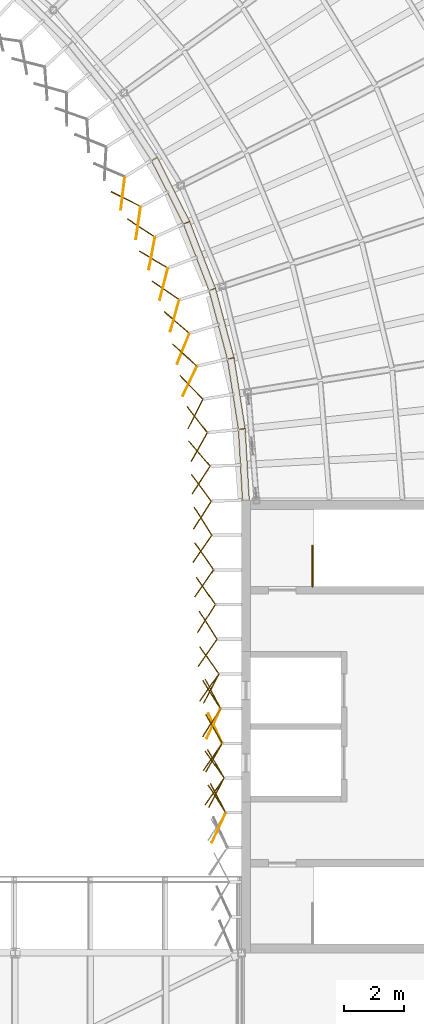
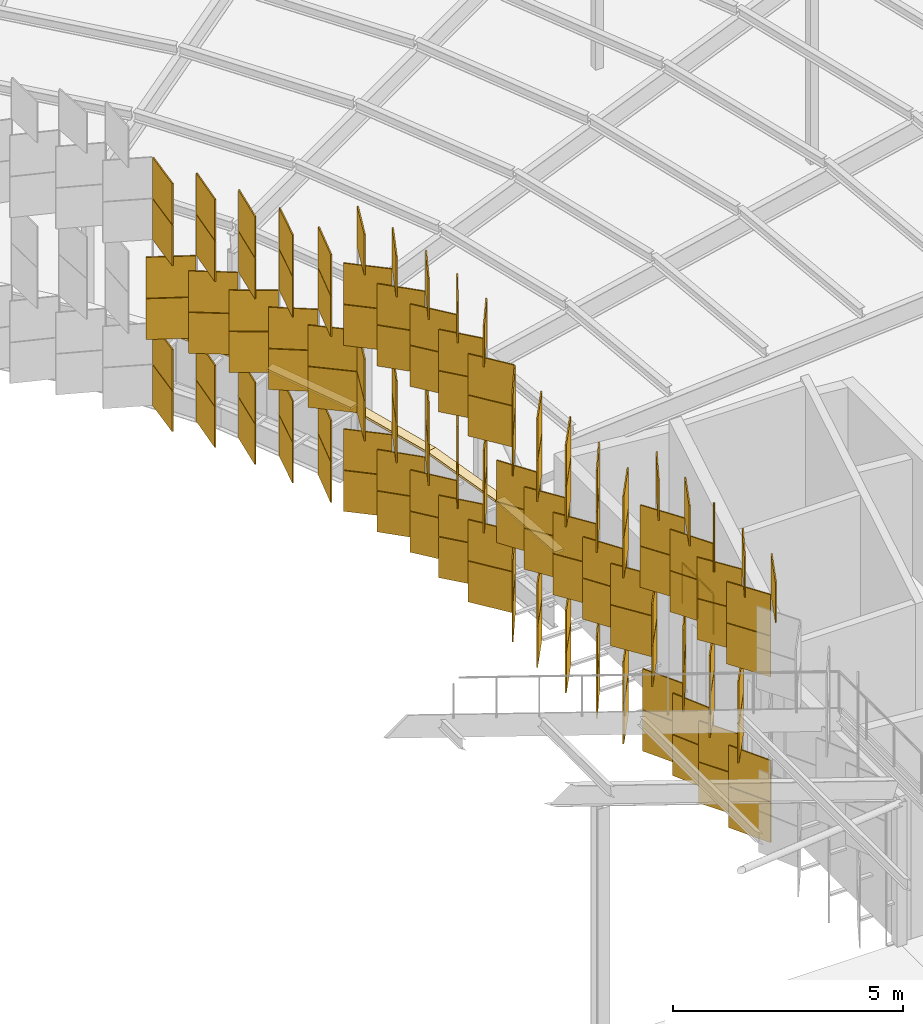
# One storey, part 470 of 483: 129 coverings, 1 railing.
"""IFC4 building model written with IfcOpenShell, lengths in metres."""

from ifc_helpers import new_model, si_unit, direction, frame, origin, origin_2d, place, context, subcontext, project, spatial, polyline, rectangle, circle, outline, extrude, material, layer, layer_set, type_object, element, save


model = new_model("IFC4")

# Units and contexts
model_context = context("Model", 3, precision=1e-05, world=origin(), true_north=direction((0.0, 1.0)))
body_context = subcontext(model_context, "Body", "Model", "MODEL_VIEW")
ifc_project = project(units=[si_unit("LENGTHUNIT", "METRE"), si_unit("AREAUNIT", "SQUARE_METRE"), si_unit("VOLUMEUNIT", "CUBIC_METRE"), si_unit("PLANEANGLEUNIT", "RADIAN"), si_unit("MASSUNIT", "GRAM", prefix="KILO")], contexts=[model_context])

# Site, building, storey
site_placement = place(None, origin())
site = spatial("IfcSite", under=ifc_project, at=site_placement, CompositionType="ELEMENT")
building_placement = place(site_placement, origin())
building = spatial("IfcBuilding", under=site, at=building_placement, Name="Parallax Yard Mobility Hub", CompositionType="ELEMENT")
storey_placement = place(building_placement, frame((0.0, 0.0, 13.199951171875)))
storey = spatial("IfcBuildingStorey", under=building, at=storey_placement, Name="L04", CompositionType="ELEMENT", Elevation=13.199951171875)

# Coverings
ifc_material_1 = material(Name="Concrete fc' 35 MPa", Category="concrete")
ifc_layer_1 = layer(ifc_material_1, 0.06005859375)
ifc_layer_set_1 = layer_set([ifc_layer_1], Name="Parapet coping, Concrete fc' 35 MPa precast, 240")
covering_type_1 = type_object("IfcCoveringType", Name="Parapet coping, Concrete fc' 35 MPa precast, 240", PredefinedType="USERDEFINED", material=ifc_layer_set_1)
covering_1_placement = place(storey_placement, frame((0.0, 0.0, 1.199951171875)))
element("IfcCovering", 1, at=covering_1_placement, inside=storey, type_object=covering_type_1, Name="Parapet coping run 2 part 15", ObjectType="COPING", PredefinedType="USERDEFINED", context=body_context, shape_type="SweptSolid", body=[
    extrude(outline(polyline([(192.21630859375, 101.38330078125), (192.008056640625, 101.26318359375), (193.068115234375, 99.157470703125), (193.28759765625, 99.2548828125), (192.21630859375, 101.38330078125)])), origin(), (0.0, 0.0, 1.0), 0.06005859375),
])
covering_2_placement = place(storey_placement, frame((0.0, 0.0, 1.199951171875)))
element("IfcCovering", 2, at=covering_2_placement, inside=storey, type_object=covering_type_1, Name="Parapet coping run 2 part 16", ObjectType="COPING", PredefinedType="USERDEFINED", context=body_context, shape_type="SweptSolid", body=[
    extrude(outline(polyline([(193.28759765625, 99.2548828125), (193.068115234375, 99.157470703125), (193.916015625, 96.958984375), (194.14453125, 97.033447265625), (193.28759765625, 99.2548828125)])), origin(), (0.0, 0.0, 1.0), 0.06005859375),
])
covering_3_placement = place(storey_placement, frame((0.0, 0.0, 1.199951171875)))
element("IfcCovering", 3, at=covering_3_placement, inside=storey, type_object=covering_type_1, Name="Parapet coping run 2 part 17", ObjectType="COPING", PredefinedType="USERDEFINED", context=body_context, shape_type="SweptSolid", body=[
    extrude(outline(polyline([(194.14453125, 97.033447265625), (193.916015625, 96.958984375), (194.52587890625, 94.683349609375), (194.760986328125, 94.733154296875), (194.14453125, 97.033447265625)])), origin(), (0.0, 0.0, 1.0), 0.06005859375),
])
covering_4_placement = place(storey_placement, frame((0.0, 0.0, 1.199951171875)))
element("IfcCovering", 4, at=covering_4_placement, inside=storey, type_object=covering_type_1, Name="Parapet coping run 2 part 18", ObjectType="COPING", PredefinedType="USERDEFINED", context=body_context, shape_type="SweptSolid", body=[
    extrude(outline(polyline([(194.760986328125, 94.733154296875), (194.52587890625, 94.683349609375), (194.890869140625, 92.356689453125), (195.129638671875, 92.382080078125), (194.760986328125, 94.733154296875)])), origin(), (0.0, 0.0, 1.0), 0.06005859375),
])
covering_5_placement = place(storey_placement, frame((0.0, 0.0, 1.199951171875)))
element("IfcCovering", 5, at=covering_5_placement, inside=storey, type_object=covering_type_1, Name="Parapet coping run 2 part 19", ObjectType="COPING", PredefinedType="USERDEFINED", context=body_context, shape_type="SweptSolid", body=[
    extrude(outline(polyline([(195.129638671875, 92.382080078125), (194.890869140625, 92.356689453125), (195.02587890625, 90.006103515625), (195.265380859375, 90.02001953125), (195.129638671875, 92.382080078125)])), origin(), (0.0, 0.0, 1.0), 0.06005859375),
])
ifc_material_2 = material(Name="Aluminium panel, silver anodised", Category="aluminium")
ifc_layer_2 = layer(ifc_material_2, 0.030029296875)
ifc_layer_set_2 = layer_set([ifc_layer_2], Name="Skin panel 25 degree turn, silver anodised")
covering_type_2 = type_object("IfcCoveringType", Name="Skin panel 25 degree turn, silver anodised", PredefinedType="CLADDING", material=ifc_layer_set_2)
for number, where, z_axis, x_axis, name in (
    (6, (194.129638671875, 82.45263671875, 0.02001953125), (0.0, 0.0, 1.0), (-0.422618261741, 0.906307787037, 0.0), "Skin panel 25 bay 23.7 row 1 level L04"),
    (7, (194.129638671875, 82.45263671875, 1.1201171875), (0.0, 0.0, 1.0), (-0.422618261741, 0.906307787037, 0.0), "Skin panel 25 bay 23.7 row 2 level L04"),
    (8, (194.072021484375, 82.59423828125, 6.6201171875), (0.0, 0.0, 1.0), (-0.422618261741, -0.906307787037, 0.0), "Skin panel 25 bay 23.7 row 7 level L04"),
    (9, (194.24462890625, 79.143798828125, 6.6201171875), (0.0, 0.0, 1.0), (-0.422618261741, -0.906307787037, 0.0), "Skin panel 25 bay 23.10 row 7 level L04"),
):
    element("IfcCovering", number, at=place(storey_placement, frame(where, z_axis=z_axis, x_axis=x_axis)), inside=storey, type_object=covering_type_2, Name=name, ObjectType="SCREEN", PredefinedType="CLADDING", context=body_context, shape_type="SweptSolid", body=[
        extrude(rectangle(XDim=1.080078125, YDim=0.030029296875, at=origin_2d()), origin(), (0.0, 0.0, 1.0), 1.080078125),
    ])
ifc_layer_3 = layer(ifc_material_2, 0.030029296875)
ifc_layer_set_3 = layer_set([ifc_layer_3], Name="Skin panel 27.5 degree turn, silver anodised")
covering_type_3 = type_object("IfcCoveringType", Name="Skin panel 27.5 degree turn, silver anodised", PredefinedType="CLADDING", material=ifc_layer_set_3)
for number, where, z_axis, x_axis, name in (
    (10, (194.05029296875, 83.592041015625, 0.02001953125), (0.0, 0.0, 1.0), (-0.461748613235, 0.887010833178, 0.0), "Skin panel 27.5 bay 23.6 row 1 level L04"),
    (11, (194.05029296875, 83.592041015625, 1.1201171875), (0.0, 0.0, 1.0), (-0.461748613235, 0.887010833178, 0.0), "Skin panel 27.5 bay 23.6 row 2 level L04"),
    (12, (193.992919921875, 83.755126953125, 6.6201171875), (0.0, 0.0, 1.0), (-0.461748613235, -0.887010833178, 0.0), "Skin panel 27.5 bay 23.6 row 7 level L04"),
    (13, (194.222900390625, 80.1416015625, 0.02001953125), (0.0, 0.0, 1.0), (-0.461748613235, 0.887010833178, 0.0), "Skin panel 27.5 bay 23.9 row 1 level L04"),
    (14, (194.222900390625, 80.1416015625, 1.1201171875), (0.0, 0.0, 1.0), (-0.461748613235, 0.887010833178, 0.0), "Skin panel 27.5 bay 23.9 row 2 level L04"),
    (15, (194.165283203125, 80.3046875, 6.6201171875), (0.0, 0.0, 1.0), (-0.461748613235, -0.887010833178, 0.0), "Skin panel 27.5 bay 23.9 row 7 level L04"),
):
    element("IfcCovering", number, at=place(storey_placement, frame(where, z_axis=z_axis, x_axis=x_axis)), inside=storey, type_object=covering_type_3, Name=name, ObjectType="SCREEN", PredefinedType="CLADDING", context=body_context, shape_type="SweptSolid", body=[
        extrude(rectangle(XDim=1.080078125, YDim=0.030029296875, at=origin_2d()), origin(), (0.0, 0.0, 1.0), 1.080078125),
    ])
ifc_layer_4 = layer(ifc_material_2, 0.030029296875)
ifc_layer_set_4 = layer_set([ifc_layer_4], Name="Skin panel 30 degree turn, silver anodised")
covering_type_4 = type_object("IfcCoveringType", Name="Skin panel 30 degree turn, silver anodised", PredefinedType="CLADDING", material=ifc_layer_set_4)
for number, where, z_axis, x_axis, name in (
    (16, (194.086669921875, 82.43017578125, 4.419921875), (0.0, 0.0, 1.0), (-0.5, 0.866025403784, 0.0), "Skin panel 30 bay 23.7 row 5 level L04"),
    (17, (194.086669921875, 82.43017578125, 5.52001953125), (0.0, 0.0, 1.0), (-0.5, 0.866025403784, 0.0), "Skin panel 30 bay 23.7 row 6 level L04"),
    (18, (194.14404296875, 81.280029296875, 0.02001953125), (0.0, 0.0, 1.0), (-0.5, 0.866025403784, 0.0), "Skin panel 30 bay 23.8 row 1 level L04"),
    (19, (194.14404296875, 81.280029296875, 1.1201171875), (0.0, 0.0, 1.0), (-0.5, 0.866025403784, 0.0), "Skin panel 30 bay 23.8 row 2 level L04"),
    (20, (194.086669921875, 81.466552734375, 6.6201171875), (0.0, 0.0, 1.0), (-0.5, -0.866025403784, 0.0), "Skin panel 30 bay 23.8 row 7 level L04"),
):
    element("IfcCovering", number, at=place(storey_placement, frame(where, z_axis=z_axis, x_axis=x_axis)), inside=storey, type_object=covering_type_4, Name=name, ObjectType="SCREEN", PredefinedType="CLADDING", context=body_context, shape_type="SweptSolid", body=[
        extrude(rectangle(XDim=1.080078125, YDim=0.030029296875, at=origin_2d()), origin(), (0.0, 0.0, 1.0), 1.080078125),
    ])
ifc_layer_5 = layer(ifc_material_2, 0.030029296875)
ifc_layer_set_5 = layer_set([ifc_layer_5], Name="Skin panel 32.5 degree turn, silver anodised")
covering_type_5 = type_object("IfcCoveringType", Name="Skin panel 32.5 degree turn, silver anodised", PredefinedType="CLADDING", material=ifc_layer_set_5)
for number, where, z_axis, x_axis, name in (
    (21, (191.577392578125, 99.1943359375, 0.02001953125), (0.0, 0.0, 1.0), (-0.141333197824, -0.989962083715, 0.0), "Skin panel 32.5 bay 21.4 row 1 level L04"),
    (22, (191.577392578125, 99.1943359375, 1.1201171875), (0.0, 0.0, 1.0), (-0.141333197824, -0.989962083715, 0.0), "Skin panel 32.5 bay 21.4 row 2 level L04"),
    (23, (191.66650390625, 99.0400390625, 2.219970703125), (0.0, 0.0, 1.0), (-0.837480354951, 0.546467432763, 0.0), "Skin panel 32.5 bay 21.4 row 3 level L04"),
    (24, (191.66650390625, 99.0400390625, 3.320068359375), (0.0, 0.0, 1.0), (-0.837480354951, 0.546467432763, 0.0), "Skin panel 32.5 bay 21.4 row 4 level L04"),
    (25, (191.577392578125, 99.1943359375, 4.419921875), (0.0, 0.0, 1.0), (-0.141333197824, -0.989962083715, 0.0), "Skin panel 32.5 bay 21.4 row 5 level L04"),
    (26, (191.577392578125, 99.1943359375, 5.52001953125), (0.0, 0.0, 1.0), (-0.141333197824, -0.989962083715, 0.0), "Skin panel 32.5 bay 21.4 row 6 level L04"),
    (27, (192.7861328125, 96.119140625, 0.02001953125), (0.0, 0.0, 1.0), (-0.269340053953, -0.963045136708, 0.0), "Skin panel 32.5 bay 22.1 row 1 level L04"),
    (28, (192.7861328125, 96.119140625, 1.1201171875), (0.0, 0.0, 1.0), (-0.269340053953, -0.963045136708, 0.0), "Skin panel 32.5 bay 22.1 row 2 level L04"),
    (29, (192.851318359375, 95.905029296875, 2.219970703125), (0.0, 0.0, 1.0), (-0.758987281247, 0.651105449912, 0.0), "Skin panel 32.5 bay 22.1 row 3 level L04"),
    (30, (192.851318359375, 95.905029296875, 3.320068359375), (0.0, 0.0, 1.0), (-0.758987281247, 0.651105449912, 0.0), "Skin panel 32.5 bay 22.1 row 4 level L04"),
    (31, (192.7861328125, 96.119140625, 4.419921875), (0.0, 0.0, 1.0), (-0.269340053953, -0.963045136708, 0.0), "Skin panel 32.5 bay 22.1 row 5 level L04"),
    (32, (192.7861328125, 96.119140625, 5.52001953125), (0.0, 0.0, 1.0), (-0.269340053953, -0.963045136708, 0.0), "Skin panel 32.5 bay 22.1 row 6 level L04"),
    (33, (193.52685546875, 92.688232421875, 0.02001953125), (0.0, 0.0, 1.0), (-0.617379181571, 0.786665714369, 0.0), "Skin panel 32.5 bay 22.4 row 1 level L04"),
    (34, (193.52685546875, 92.688232421875, 1.1201171875), (0.0, 0.0, 1.0), (-0.617379181571, 0.786665714369, 0.0), "Skin panel 32.5 bay 22.4 row 2 level L04"),
    (35, (193.47314453125, 92.860595703125, 2.219970703125), (0.0, 0.0, 1.0), (-0.452045546177, -0.891994856589, 0.0), "Skin panel 32.5 bay 22.4 row 3 level L04"),
    (36, (193.47314453125, 92.860595703125, 3.320068359375), (0.0, 0.0, 1.0), (-0.452045546177, -0.891994856589, 0.0), "Skin panel 32.5 bay 22.4 row 4 level L04"),
    (37, (193.52685546875, 92.688232421875, 4.419921875), (0.0, 0.0, 1.0), (-0.617379181571, 0.786665714369, 0.0), "Skin panel 32.5 bay 22.4 row 5 level L04"),
    (38, (193.52685546875, 92.688232421875, 5.52001953125), (0.0, 0.0, 1.0), (-0.617379181571, 0.786665714369, 0.0), "Skin panel 32.5 bay 22.4 row 6 level L04"),
    (39, (193.47314453125, 92.860595703125, 6.6201171875), (0.0, 0.0, 1.0), (-0.452045546177, -0.891994856589, 0.0), "Skin panel 32.5 bay 22.4 row 7 level L04"),
    (40, (193.701416015625, 89.507568359375, 0.02001953125), (0.0, 0.0, 1.0), (-0.537299608347, -0.843391445813, 0.0), "Skin panel 32.5 bay 23.1 row 1 level L04"),
    (41, (193.701416015625, 89.507568359375, 1.1201171875), (0.0, 0.0, 1.0), (-0.537299608347, -0.843391445813, 0.0), "Skin panel 32.5 bay 23.1 row 2 level L04"),
    (42, (193.720703125, 89.318603515625, 2.219970703125), (0.0, 0.0, 1.0), (-0.537299608347, 0.843391445813, 0.0), "Skin panel 32.5 bay 23.1 row 3 level L04"),
    (43, (193.720703125, 89.318603515625, 3.320068359375), (0.0, 0.0, 1.0), (-0.537299608347, 0.843391445813, 0.0), "Skin panel 32.5 bay 23.1 row 4 level L04"),
    (44, (193.701416015625, 89.507568359375, 4.419921875), (0.0, 0.0, 1.0), (-0.537299608347, -0.843391445813, 0.0), "Skin panel 32.5 bay 23.1 row 5 level L04"),
    (45, (193.701416015625, 89.507568359375, 5.52001953125), (0.0, 0.0, 1.0), (-0.537299608347, -0.843391445813, 0.0), "Skin panel 32.5 bay 23.1 row 6 level L04"),
    (46, (193.835693359375, 86.079833984375, 0.02001953125), (0.0, 0.0, 1.0), (-0.537299608347, -0.843391445813, 0.0), "Skin panel 32.5 bay 23.4 row 1 level L04"),
    (47, (193.835693359375, 86.079833984375, 1.1201171875), (0.0, 0.0, 1.0), (-0.537299608347, -0.843391445813, 0.0), "Skin panel 32.5 bay 23.4 row 2 level L04"),
    (48, (193.893310546875, 85.8681640625, 2.219970703125), (0.0, 0.0, 1.0), (-0.537299608347, 0.843391445813, 0.0), "Skin panel 32.5 bay 23.4 row 3 level L04"),
    (49, (193.893310546875, 85.8681640625, 3.320068359375), (0.0, 0.0, 1.0), (-0.537299608347, 0.843391445813, 0.0), "Skin panel 32.5 bay 23.4 row 4 level L04"),
    (50, (193.835693359375, 86.079833984375, 4.419921875), (0.0, 0.0, 1.0), (-0.537299608347, -0.843391445813, 0.0), "Skin panel 32.5 bay 23.4 row 5 level L04"),
    (51, (193.835693359375, 86.079833984375, 5.52001953125), (0.0, 0.0, 1.0), (-0.537299608347, -0.843391445813, 0.0), "Skin panel 32.5 bay 23.4 row 6 level L04"),
    (52, (194.00830078125, 83.56787109375, 4.419921875), (0.0, 0.0, 1.0), (-0.537299608347, 0.843391445813, 0.0), "Skin panel 32.5 bay 23.6 row 5 level L04"),
    (53, (194.00830078125, 83.56787109375, 5.52001953125), (0.0, 0.0, 1.0), (-0.537299608347, 0.843391445813, 0.0), "Skin panel 32.5 bay 23.6 row 6 level L04"),
    (54, (194.00830078125, 82.62939453125, 2.219970703125), (0.0, 0.0, 1.0), (-0.537299608347, -0.843391445813, 0.0), "Skin panel 32.5 bay 23.7 row 3 level L04"),
    (55, (194.00830078125, 82.62939453125, 3.320068359375), (0.0, 0.0, 1.0), (-0.537299608347, -0.843391445813, 0.0), "Skin panel 32.5 bay 23.7 row 4 level L04"),
    (56, (194.180908203125, 80.1171875, 4.419921875), (0.0, 0.0, 1.0), (-0.537299608347, 0.843391445813, 0.0), "Skin panel 32.5 bay 23.9 row 5 level L04"),
    (57, (194.180908203125, 80.1171875, 5.52001953125), (0.0, 0.0, 1.0), (-0.537299608347, 0.843391445813, 0.0), "Skin panel 32.5 bay 23.9 row 6 level L04"),
):
    element("IfcCovering", number, at=place(storey_placement, frame(where, z_axis=z_axis, x_axis=x_axis)), inside=storey, type_object=covering_type_5, Name=name, ObjectType="SCREEN", PredefinedType="CLADDING", context=body_context, shape_type="SweptSolid", body=[
        extrude(rectangle(XDim=1.080078125, YDim=0.030029296875, at=origin_2d()), origin(), (0.0, 0.0, 1.0), 1.080078125),
    ])
ifc_layer_6 = layer(ifc_material_2, 0.030029296875)
ifc_layer_set_6 = layer_set([ifc_layer_6], Name="Skin panel 35 degree turn, silver anodised")
covering_type_6 = type_object("IfcCoveringType", Name="Skin panel 35 degree turn, silver anodised", PredefinedType="CLADDING", material=ifc_layer_set_6)
for number, where, z_axis, x_axis, name in (
    (58, (191.064453125, 100.177978515625, 0.02001953125), (0.0, 0.0, 1.0), (-0.119703655305, -0.992809667009, 0.0), "Skin panel 35 bay 21.3 row 1 level L04"),
    (59, (191.064453125, 100.177978515625, 1.1201171875), (0.0, 0.0, 1.0), (-0.119703655305, -0.992809667009, 0.0), "Skin panel 35 bay 21.3 row 2 level L04"),
    (60, (191.159912109375, 99.99658203125, 2.219970703125), (0.0, 0.0, 1.0), (-0.891994856589, 0.452045546177, 0.0), "Skin panel 35 bay 21.3 row 3 level L04"),
    (61, (191.159912109375, 99.99658203125, 3.320068359375), (0.0, 0.0, 1.0), (-0.891994856589, 0.452045546177, 0.0), "Skin panel 35 bay 21.3 row 4 level L04"),
    (62, (191.064453125, 100.177978515625, 4.419921875), (0.0, 0.0, 1.0), (-0.119703655305, -0.992809667009, 0.0), "Skin panel 35 bay 21.3 row 5 level L04"),
    (63, (191.064453125, 100.177978515625, 5.52001953125), (0.0, 0.0, 1.0), (-0.119703655305, -0.992809667009, 0.0), "Skin panel 35 bay 21.3 row 6 level L04"),
    (64, (192.02978515625, 98.189208984375, 0.02001953125), (0.0, 0.0, 1.0), (-0.184380219543, -0.982854991665, 0.0), "Skin panel 35 bay 21.5 row 1 level L04"),
    (65, (192.02978515625, 98.189208984375, 1.1201171875), (0.0, 0.0, 1.0), (-0.184380219543, -0.982854991665, 0.0), "Skin panel 35 bay 21.5 row 2 level L04"),
    (66, (192.080810546875, 97.98876953125, 2.219970703125), (0.0, 0.0, 1.0), (-0.860519833856, 0.509416936841, 0.0), "Skin panel 35 bay 21.5 row 3 level L04"),
    (67, (192.080810546875, 97.98876953125, 3.320068359375), (0.0, 0.0, 1.0), (-0.860519833856, 0.509416936841, 0.0), "Skin panel 35 bay 21.5 row 4 level L04"),
    (68, (192.02978515625, 98.189208984375, 4.419921875), (0.0, 0.0, 1.0), (-0.184380219543, -0.982854991665, 0.0), "Skin panel 35 bay 21.5 row 5 level L04"),
    (69, (192.02978515625, 98.189208984375, 5.52001953125), (0.0, 0.0, 1.0), (-0.184380219543, -0.982854991665, 0.0), "Skin panel 35 bay 21.5 row 6 level L04"),
    (70, (192.42138671875, 97.16650390625, 0.02001953125), (0.0, 0.0, 1.0), (-0.248267239374, -0.968691580357, 0.0), "Skin panel 35 bay 21.6 row 1 level L04"),
    (71, (192.42138671875, 97.16650390625, 1.1201171875), (0.0, 0.0, 1.0), (-0.248267239374, -0.968691580357, 0.0), "Skin panel 35 bay 21.6 row 2 level L04"),
    (72, (192.476806640625, 96.968994140625, 2.219970703125), (0.0, 0.0, 1.0), (-0.825359933085, 0.564606925974, 0.0), "Skin panel 35 bay 21.6 row 3 level L04"),
    (73, (192.476806640625, 96.968994140625, 3.320068359375), (0.0, 0.0, 1.0), (-0.825359933085, 0.564606925974, 0.0), "Skin panel 35 bay 21.6 row 4 level L04"),
    (74, (192.42138671875, 97.16650390625, 4.419921875), (0.0, 0.0, 1.0), (-0.248267239374, -0.968691580357, 0.0), "Skin panel 35 bay 21.6 row 5 level L04"),
    (75, (192.42138671875, 97.16650390625, 5.52001953125), (0.0, 0.0, 1.0), (-0.248267239374, -0.968691580357, 0.0), "Skin panel 35 bay 21.6 row 6 level L04"),
    (76, (193.111328125, 94.826416015625, 0.02001953125), (0.0, 0.0, 1.0), (-0.744602872292, 0.66750772473, 0.0), "Skin panel 35 bay 22.2 row 1 level L04"),
    (77, (193.111328125, 94.826416015625, 1.1201171875), (0.0, 0.0, 1.0), (-0.744602872292, 0.66750772473, 0.0), "Skin panel 35 bay 22.2 row 2 level L04"),
    (78, (193.066162109375, 95.0263671875, 2.219970703125), (0.0, 0.0, 1.0), (-0.372582902144, -0.927998912192, 0.0), "Skin panel 35 bay 22.2 row 3 level L04"),
    (79, (193.066162109375, 95.0263671875, 3.320068359375), (0.0, 0.0, 1.0), (-0.372582902144, -0.927998912192, 0.0), "Skin panel 35 bay 22.2 row 4 level L04"),
    (80, (193.111328125, 94.826416015625, 4.419921875), (0.0, 0.0, 1.0), (-0.744602872292, 0.66750772473, 0.0), "Skin panel 35 bay 22.2 row 5 level L04"),
    (81, (193.111328125, 94.826416015625, 5.52001953125), (0.0, 0.0, 1.0), (-0.744602872292, 0.66750772473, 0.0), "Skin panel 35 bay 22.2 row 6 level L04"),
    (82, (193.066162109375, 95.0263671875, 6.6201171875), (0.0, 0.0, 1.0), (-0.372582902144, -0.927998912192, 0.0), "Skin panel 35 bay 22.2 row 7 level L04"),
    (83, (193.33544921875, 93.754638671875, 0.02001953125), (0.0, 0.0, 1.0), (-0.699351526403, 0.714777897334, 0.0), "Skin panel 35 bay 22.3 row 1 level L04"),
    (84, (193.33544921875, 93.754638671875, 1.1201171875), (0.0, 0.0, 1.0), (-0.699351526403, 0.714777897334, 0.0), "Skin panel 35 bay 22.3 row 2 level L04"),
    (85, (193.284912109375, 93.953369140625, 2.219970703125), (0.0, 0.0, 1.0), (-0.43247920633, -0.901643907589, 0.0), "Skin panel 35 bay 22.3 row 3 level L04"),
    (86, (193.284912109375, 93.953369140625, 3.320068359375), (0.0, 0.0, 1.0), (-0.43247920633, -0.901643907589, 0.0), "Skin panel 35 bay 22.3 row 4 level L04"),
    (87, (193.33544921875, 93.754638671875, 4.419921875), (0.0, 0.0, 1.0), (-0.699351526403, 0.714777897334, 0.0), "Skin panel 35 bay 22.3 row 5 level L04"),
    (88, (193.33544921875, 93.754638671875, 5.52001953125), (0.0, 0.0, 1.0), (-0.699351526403, 0.714777897334, 0.0), "Skin panel 35 bay 22.3 row 6 level L04"),
    (89, (193.284912109375, 93.953369140625, 6.6201171875), (0.0, 0.0, 1.0), (-0.43247920633, -0.901643907589, 0.0), "Skin panel 35 bay 22.3 row 7 level L04"),
    (90, (193.60009765625, 91.560791015625, 0.02001953125), (0.0, 0.0, 1.0), (-0.651105449912, 0.758987281247, 0.0), "Skin panel 35 bay 22.5 row 1 level L04"),
    (91, (193.60009765625, 91.560791015625, 1.1201171875), (0.0, 0.0, 1.0), (-0.651105449912, 0.758987281247, 0.0), "Skin panel 35 bay 22.5 row 2 level L04"),
    (92, (193.597412109375, 91.765869140625, 2.219970703125), (0.0, 0.0, 1.0), (-0.490523568159, -0.87142792535, 0.0), "Skin panel 35 bay 22.5 row 3 level L04"),
    (93, (193.597412109375, 91.765869140625, 3.320068359375), (0.0, 0.0, 1.0), (-0.490523568159, -0.87142792535, 0.0), "Skin panel 35 bay 22.5 row 4 level L04"),
    (94, (193.60009765625, 91.560791015625, 4.419921875), (0.0, 0.0, 1.0), (-0.651105449912, 0.758987281247, 0.0), "Skin panel 35 bay 22.5 row 5 level L04"),
    (95, (193.60009765625, 91.560791015625, 5.52001953125), (0.0, 0.0, 1.0), (-0.651105449912, 0.758987281247, 0.0), "Skin panel 35 bay 22.5 row 6 level L04"),
    (96, (193.597412109375, 91.765869140625, 6.6201171875), (0.0, 0.0, 1.0), (-0.490523568159, -0.87142792535, 0.0), "Skin panel 35 bay 22.5 row 7 level L04"),
    (97, (193.66650390625, 90.421875, 0.02001953125), (0.0, 0.0, 1.0), (-0.600071239924, 0.7999465651, 0.0), "Skin panel 35 bay 22.6 row 1 level L04"),
    (98, (193.66650390625, 90.421875, 1.1201171875), (0.0, 0.0, 1.0), (-0.600071239924, 0.7999465651, 0.0), "Skin panel 35 bay 22.6 row 2 level L04"),
    (99, (193.658203125, 90.672607421875, 2.219970703125), (0.0, 0.0, 1.0), (-0.546467432763, -0.837480354951, 0.0), "Skin panel 35 bay 22.6 row 3 level L04"),
    (100, (193.658203125, 90.672607421875, 3.320068359375), (0.0, 0.0, 1.0), (-0.546467432763, -0.837480354951, 0.0), "Skin panel 35 bay 22.6 row 4 level L04"),
    (101, (193.66650390625, 90.421875, 4.419921875), (0.0, 0.0, 1.0), (-0.600071239924, 0.7999465651, 0.0), "Skin panel 35 bay 22.6 row 5 level L04"),
    (102, (193.66650390625, 90.421875, 5.52001953125), (0.0, 0.0, 1.0), (-0.600071239924, 0.7999465651, 0.0), "Skin panel 35 bay 22.6 row 6 level L04"),
    (103, (193.658203125, 90.672607421875, 6.6201171875), (0.0, 0.0, 1.0), (-0.546467432763, -0.837480354951, 0.0), "Skin panel 35 bay 22.6 row 7 level L04"),
    (104, (193.70068359375, 88.393798828125, 0.02001953125), (0.0, 0.0, 1.0), (-0.573576436351, -0.819152044289, 0.0), "Skin panel 35 bay 23.2 row 1 level L04"),
    (105, (193.70068359375, 88.393798828125, 1.1201171875), (0.0, 0.0, 1.0), (-0.573576436351, -0.819152044289, 0.0), "Skin panel 35 bay 23.2 row 2 level L04"),
    (106, (193.75830078125, 88.155029296875, 2.219970703125), (0.0, 0.0, 1.0), (-0.573576436351, 0.819152044289, 0.0), "Skin panel 35 bay 23.2 row 3 level L04"),
    (107, (193.75830078125, 88.155029296875, 3.320068359375), (0.0, 0.0, 1.0), (-0.573576436351, 0.819152044289, 0.0), "Skin panel 35 bay 23.2 row 4 level L04"),
    (108, (193.70068359375, 88.393798828125, 4.419921875), (0.0, 0.0, 1.0), (-0.573576436351, -0.819152044289, 0.0), "Skin panel 35 bay 23.2 row 5 level L04"),
    (109, (193.70068359375, 88.393798828125, 5.52001953125), (0.0, 0.0, 1.0), (-0.573576436351, -0.819152044289, 0.0), "Skin panel 35 bay 23.2 row 6 level L04"),
    (110, (193.75830078125, 87.243408203125, 0.02001953125), (0.0, 0.0, 1.0), (-0.573576436351, -0.819152044289, 0.0), "Skin panel 35 bay 23.3 row 1 level L04"),
    (111, (193.75830078125, 87.243408203125, 1.1201171875), (0.0, 0.0, 1.0), (-0.573576436351, -0.819152044289, 0.0), "Skin panel 35 bay 23.3 row 2 level L04"),
    (112, (193.815673828125, 87.0048828125, 2.219970703125), (0.0, 0.0, 1.0), (-0.573576436351, 0.819152044289, 0.0), "Skin panel 35 bay 23.3 row 3 level L04"),
    (113, (193.815673828125, 87.0048828125, 3.320068359375), (0.0, 0.0, 1.0), (-0.573576436351, 0.819152044289, 0.0), "Skin panel 35 bay 23.3 row 4 level L04"),
    (114, (193.75830078125, 87.243408203125, 4.419921875), (0.0, 0.0, 1.0), (-0.573576436351, -0.819152044289, 0.0), "Skin panel 35 bay 23.3 row 5 level L04"),
    (115, (193.75830078125, 87.243408203125, 5.52001953125), (0.0, 0.0, 1.0), (-0.573576436351, -0.819152044289, 0.0), "Skin panel 35 bay 23.3 row 6 level L04"),
    (116, (193.873291015625, 84.943115234375, 0.02001953125), (0.0, 0.0, 1.0), (-0.573576436351, -0.819152044289, 0.0), "Skin panel 35 bay 23.5 row 1 level L04"),
    (117, (193.873291015625, 84.943115234375, 1.1201171875), (0.0, 0.0, 1.0), (-0.573576436351, -0.819152044289, 0.0), "Skin panel 35 bay 23.5 row 2 level L04"),
    (118, (193.9306640625, 84.70458984375, 2.219970703125), (0.0, 0.0, 1.0), (-0.573576436351, 0.819152044289, 0.0), "Skin panel 35 bay 23.5 row 3 level L04"),
    (119, (193.9306640625, 84.70458984375, 3.320068359375), (0.0, 0.0, 1.0), (-0.573576436351, 0.819152044289, 0.0), "Skin panel 35 bay 23.5 row 4 level L04"),
    (120, (193.873291015625, 84.943115234375, 4.419921875), (0.0, 0.0, 1.0), (-0.573576436351, -0.819152044289, 0.0), "Skin panel 35 bay 23.5 row 5 level L04"),
    (121, (193.873291015625, 84.943115234375, 5.52001953125), (0.0, 0.0, 1.0), (-0.573576436351, -0.819152044289, 0.0), "Skin panel 35 bay 23.5 row 6 level L04"),
    (122, (193.9306640625, 83.79296875, 2.219970703125), (0.0, 0.0, 1.0), (-0.573576436351, -0.819152044289, 0.0), "Skin panel 35 bay 23.6 row 3 level L04"),
    (123, (193.9306640625, 83.79296875, 3.320068359375), (0.0, 0.0, 1.0), (-0.573576436351, -0.819152044289, 0.0), "Skin panel 35 bay 23.6 row 4 level L04"),
    (124, (194.045654296875, 81.49267578125, 2.219970703125), (0.0, 0.0, 1.0), (-0.573576436351, -0.819152044289, 0.0), "Skin panel 35 bay 23.8 row 3 level L04"),
    (125, (194.045654296875, 81.49267578125, 3.320068359375), (0.0, 0.0, 1.0), (-0.573576436351, -0.819152044289, 0.0), "Skin panel 35 bay 23.8 row 4 level L04"),
    (126, (194.103271484375, 81.25390625, 4.419921875), (0.0, 0.0, 1.0), (-0.573576436351, 0.819152044289, 0.0), "Skin panel 35 bay 23.8 row 5 level L04"),
    (127, (194.103271484375, 81.25390625, 5.52001953125), (0.0, 0.0, 1.0), (-0.573576436351, 0.819152044289, 0.0), "Skin panel 35 bay 23.8 row 6 level L04"),
    (128, (194.103271484375, 80.34228515625, 2.219970703125), (0.0, 0.0, 1.0), (-0.573576436351, -0.819152044289, 0.0), "Skin panel 35 bay 23.9 row 3 level L04"),
    (129, (194.103271484375, 80.34228515625, 3.320068359375), (0.0, 0.0, 1.0), (-0.573576436351, -0.819152044289, 0.0), "Skin panel 35 bay 23.9 row 4 level L04"),
):
    element("IfcCovering", number, at=place(storey_placement, frame(where, z_axis=z_axis, x_axis=x_axis)), inside=storey, type_object=covering_type_6, Name=name, ObjectType="SCREEN", PredefinedType="CLADDING", context=body_context, shape_type="SweptSolid", body=[
        extrude(rectangle(XDim=1.080078125, YDim=0.030029296875, at=origin_2d()), origin(), (0.0, 0.0, 1.0), 1.080078125),
    ])

# Railing
ifc_material_3 = material(Name="Steel ASTM A36", Category="steel")
railing_type = type_object("IfcRailingType", Name="Stair guard 1100", PredefinedType="GUARDRAIL", material=ifc_material_3)
railing_placement = place(storey_placement, frame((197.35009765625, 87.14990234375, 0.0)))
element("IfcRailing", 130, at=railing_placement, inside=storey, type_object=railing_type, Name="L04 ST8 top well guard 1", PredefinedType="GUARDRAIL", context=body_context, shape_type="SweptSolid", body=[
    extrude(circle(Radius=0.02392578125, at=origin_2d()), frame((0.0, 0.0, 1.076171875), z_axis=(0.0, 1.0, 0.0), x_axis=(-1.0, 0.0, 0.0)), (0.0, 0.0, 1.0), 1.35009765625),
    extrude(circle(Radius=0.02099609375, at=origin_2d()), origin(), (0.0, 0.0, 1.0), 1.052001953125),
    extrude(circle(Radius=0.02099609375, at=origin_2d()), frame((0.0, 0.675048828125, 0.0)), (0.0, 0.0, 1.0), 1.052001953125),
    extrude(circle(Radius=0.02099609375, at=origin_2d()), frame((0.0, 1.35009765625, 0.0)), (0.0, 0.0, 1.0), 1.052001953125),
])

save(model, "model.ifc")
